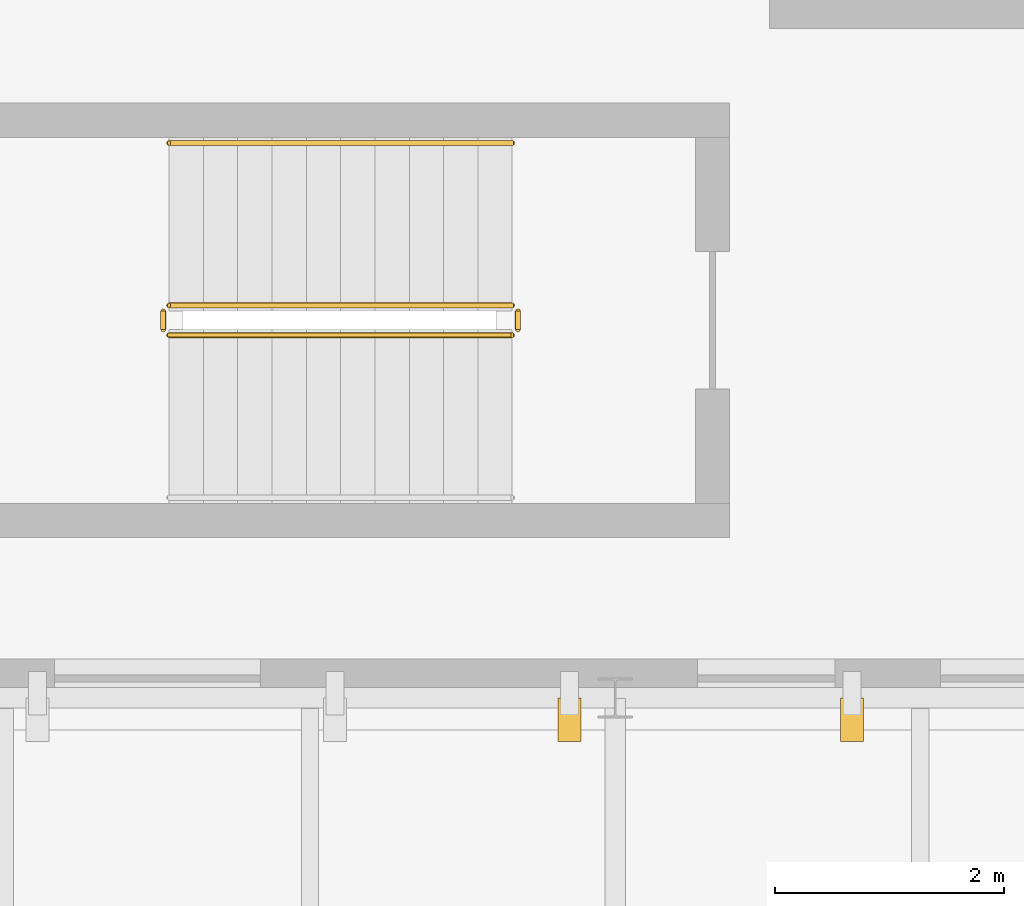
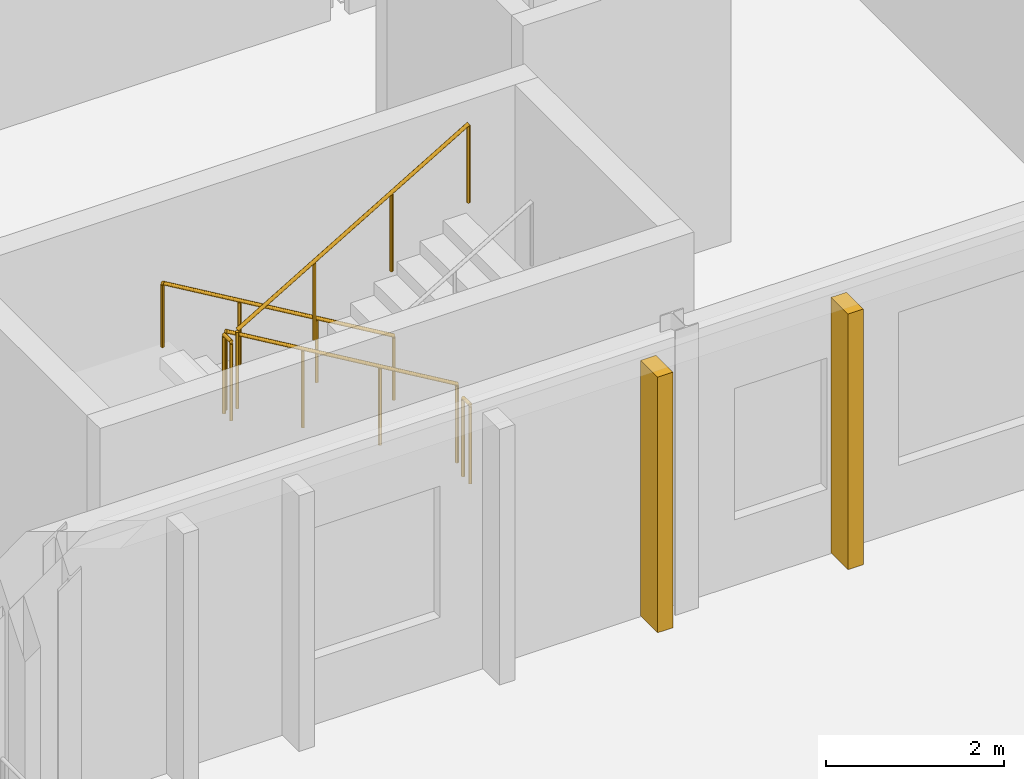
# One storey, part 38 of 43: 5 railings, 2 coverings.
"""IFC4 building model written with IfcOpenShell, lengths in metres."""

import ifcopenshell
import ifcopenshell.guid

model = None  # the IFC model being written
_history = None  # IfcOwnerHistory: only IFC2X3 demands one
_inside = {}  # id of a spatial element -> (the spatial element, [elements in it])
_under = {}  # id of a project, library or spatial element -> (it, [spatial elements below it])
_declared = {}  # id of a project -> (the project, [libraries it declares])
_typed = {}  # id of a type object -> (the type object, [elements of that type])
_made_of = {}  # id of a material, layer set ... -> (it, [elements and type objects made of it])


def new_model(schema):
    """Start an empty IFC model of exactly this schema.

    Asked for "IFC4X3", IfcOpenShell would pick the latest addendum, in which some entities
    have other attributes; the version numbers below select the first issue.
    IFC2X3 requires an IfcOwnerHistory on every rooted entity: one is made here for all.
    """
    global model, _history
    if schema == "IFC4X3":
        model = ifcopenshell.file(schema_version=(4, 3, 0, 0))
    else:
        model = ifcopenshell.file(schema=schema)
    _inside.clear()
    _under.clear()
    _declared.clear()
    _typed.clear()
    _made_of.clear()
    _history = None
    if model.schema == "IFC2X3":
        org = make("IfcOrganization", Name="unknown")
        user = make(
            "IfcPersonAndOrganization",
            ThePerson=make("IfcPerson", FamilyName="unknown"),
            TheOrganization=org,
        )
        app = make(
            "IfcApplication",
            ApplicationDeveloper=org,
            Version="unknown",
            ApplicationFullName="unknown",
            ApplicationIdentifier="unknown",
        )
        _history = make(
            "IfcOwnerHistory",
            OwningUser=user,
            OwningApplication=app,
            ChangeAction="ADDED",
            CreationDate=0,
        )
    return model


def make(cls, **values):
    """One entity of the class cls with the attributes given. An attribute that is None is left unset."""
    return model.create_entity(
        cls, **{name: value for name, value in values.items() if value is not None}
    )


def rooted(cls, **values):
    """An entity with a GlobalId (a new one), such as an element, a storey or a relation."""
    return make(cls, GlobalId=ifcopenshell.guid.new(), OwnerHistory=_history, **values)


def si_unit(unit_type, name, prefix=None):
    """IfcSIUnit, for example si_unit("LENGTHUNIT", "METRE", prefix="MILLI")."""
    return make("IfcSIUnit", UnitType=unit_type, Prefix=prefix, Name=name)


def assignment(units):
    """IfcUnitAssignment: the units of a project."""
    return None if units is None else make("IfcUnitAssignment", Units=units)


def point(xyz):
    """IfcCartesianPoint."""
    return None if xyz is None else make("IfcCartesianPoint", Coordinates=xyz)


def direction(xyz):
    """IfcDirection."""
    return None if xyz is None else make("IfcDirection", DirectionRatios=xyz)


def frame(location, z_axis=None, x_axis=None):
    """IfcAxis2Placement3D, a coordinate frame: its origin and axes. An axis left out is left unset."""
    return make(
        "IfcAxis2Placement3D",
        Location=point(location),
        Axis=direction(z_axis),
        RefDirection=direction(x_axis),
    )


def frame_2d(location, x_axis=None):
    """IfcAxis2Placement2D, a coordinate frame in the plane: its origin and x axis."""
    return make(
        "IfcAxis2Placement2D", Location=point(location), RefDirection=direction(x_axis)
    )


def origin():
    """The frame at (0, 0, 0) with its axes left unset."""
    return frame((0.0, 0.0, 0.0))


def origin_2d():
    """The frame at (0, 0) in the plane with its x axis left unset."""
    return frame_2d((0.0, 0.0))


def place(relative_to, where):
    """IfcLocalPlacement: puts the frame where relative to a parent placement (None: the world)."""
    return make(
        "IfcLocalPlacement", PlacementRelTo=relative_to, RelativePlacement=where
    )


def context(
    kind, dimensions, precision=None, world=None, true_north=None, identifier=None
):
    """IfcGeometricRepresentationContext, for example the 3D "Model" context."""
    return make(
        "IfcGeometricRepresentationContext",
        ContextIdentifier=identifier,
        ContextType=kind,
        CoordinateSpaceDimension=dimensions,
        Precision=precision,
        WorldCoordinateSystem=world,
        TrueNorth=true_north,
    )


def subcontext(parent, identifier, kind, view, scale=None):
    """IfcGeometricRepresentationSubContext, for example "Body" below "Model"."""
    return make(
        "IfcGeometricRepresentationSubContext",
        ContextIdentifier=identifier,
        ContextType=kind,
        ParentContext=parent,
        TargetScale=scale,
        TargetView=view,
    )


def project(units=None, contexts=None):
    """IfcProject with its units and contexts."""
    return rooted(
        "IfcProject",
        Name="project",
        RepresentationContexts=contexts,
        UnitsInContext=assignment(units),
    )


def spatial(cls, under=None, at=None, **own):
    """A site, building, storey or space (cls), placed at a placement, below another one or the project."""
    s = rooted(cls, ObjectPlacement=at, **own)
    if under is not None:
        _under.setdefault(under.id(), (under, []))[1].append(s)
    return s


def profile(cls, at=None, kind="AREA", **sizes):
    """A parametric profile (cls). Its sizes go by their IFC names, for example OverallWidth=200.0."""
    return make(cls, ProfileType=kind, Position=at, **sizes)


def rectangle(**sizes):
    """IfcRectangleProfileDef."""
    return profile("IfcRectangleProfileDef", **sizes)


def circle(**sizes):
    """IfcCircleProfileDef."""
    return profile("IfcCircleProfileDef", **sizes)


def extrude(swept, where, along, depth):
    """IfcExtrudedAreaSolid: the profile swept, set in the frame where, extruded along a direction by depth."""
    return make(
        "IfcExtrudedAreaSolid",
        SweptArea=swept,
        Position=where,
        ExtrudedDirection=direction(along),
        Depth=depth,
    )


def shape(context_of_items, identifier, shape_type, items):
    """IfcShapeRepresentation: the items that make up one representation, for example the "Body"."""
    return make(
        "IfcShapeRepresentation",
        ContextOfItems=context_of_items,
        RepresentationIdentifier=identifier,
        RepresentationType=shape_type,
        Items=items,
    )


def material(Name=None, Category=None):
    """IfcMaterial."""
    return make("IfcMaterial", Name=Name, Category=Category)


def layer(
    of_material, thickness, ventilated=None, Name=None, Category=None, Priority=None
):
    """IfcMaterialLayer: one layer of a wall or slab, of a material (None: an air gap)."""
    return make(
        "IfcMaterialLayer",
        Material=of_material,
        LayerThickness=thickness,
        IsVentilated=ventilated,
        Name=Name,
        Category=Category,
        Priority=Priority,
    )


def layer_set(layers, Name=None):
    """IfcMaterialLayerSet."""
    return make("IfcMaterialLayerSet", MaterialLayers=layers, LayerSetName=Name)


def made_of(thing, what):
    """Note that an element or type object is made of a material, layer set ...; save() writes the relation."""
    if what is not None:
        _made_of.setdefault(what.id(), (what, []))[1].append(thing)
    return thing


def type_object(cls, material=None, **own):
    """A type object (cls), such as IfcWallType, which elements share."""
    return made_of(rooted(cls, **own), material)


def element(
    cls,
    number,
    at=None,
    inside=None,
    cuts=None,
    type_object=None,
    material=None,
    context=None,
    identifier="Body",
    shape_type=None,
    held_by="IfcProductDefinitionShape",
    body=None,
    shapes=None,
    **own,
):
    """One element of the class cls, such as IfcWall. Its Tag is "e" and its number.

    at: its placement. inside: the storey or other place that contains it. cuts: it is an
    opening in that element (IfcRelVoidsElement). A single representation is given by context,
    identifier, shape_type and body (its items); several are given by shapes. held_by: the class
    of the entity that holds the representations. save() writes the other relations.
    """
    e = rooted(cls, Tag="e%d" % number, ObjectPlacement=at, **own)
    if body is not None:
        shapes = [shape(context, identifier, shape_type, body)]
    if shapes is not None:
        e.Representation = make(held_by, Representations=shapes)
    if inside is not None:
        _inside.setdefault(inside.id(), (inside, []))[1].append(e)
    if cuts is not None:
        rooted(
            "IfcRelVoidsElement", RelatingBuildingElement=cuts, RelatedOpeningElement=e
        )
    if type_object is not None:
        _typed.setdefault(type_object.id(), (type_object, []))[1].append(e)
    return made_of(e, material)


def aggregate(whole, parts):
    """IfcRelAggregates: a whole, such as a stair, and the parts it consists of."""
    return rooted("IfcRelAggregates", RelatingObject=whole, RelatedObjects=parts)


def save(model, path):
    """Write the relations noted so far, then the file.

    IfcRelAggregates (storeys below a building ...), IfcRelContainedInSpatialStructure (elements
    in a storey), IfcRelDefinesByType, IfcRelAssociatesMaterial and IfcRelDeclares: one each for
    every whole, place, type object, material and project.
    """
    for whole, parts in _under.values():
        aggregate(whole, parts)
    for where, things in _inside.values():
        rooted(
            "IfcRelContainedInSpatialStructure",
            RelatedElements=things,
            RelatingStructure=where,
        )
    for kind, things in _typed.values():
        rooted("IfcRelDefinesByType", RelatedObjects=things, RelatingType=kind)
    for what, things in _made_of.values():
        rooted("IfcRelAssociatesMaterial", RelatedObjects=things, RelatingMaterial=what)
    for by, libraries in _declared.values():
        rooted("IfcRelDeclares", RelatingContext=by, RelatedDefinitions=libraries)
    model.write(path)


model = new_model("IFC4")

# Units and contexts
model_context = context("Model", 3, precision=1e-05, world=origin(), true_north=direction((0.0, 1.0)))
body_context = subcontext(model_context, "Body", "Model", "MODEL_VIEW")
ifc_project = project(units=[si_unit("LENGTHUNIT", "METRE"), si_unit("AREAUNIT", "SQUARE_METRE"), si_unit("VOLUMEUNIT", "CUBIC_METRE"), si_unit("PLANEANGLEUNIT", "RADIAN"), si_unit("MASSUNIT", "GRAM", prefix="KILO")], contexts=[model_context])

# Site, building, storey
site_placement = place(None, origin())
site = spatial("IfcSite", under=ifc_project, at=site_placement, CompositionType="ELEMENT")
building_placement = place(site_placement, origin())
building = spatial("IfcBuilding", under=site, at=building_placement, Name="Cymarion Research Institute", CompositionType="ELEMENT")
storey_placement = place(building_placement, frame((0.0, 0.0, 22.800048828125)))
storey = spatial("IfcBuildingStorey", under=building, at=storey_placement, Name="L05", CompositionType="ELEMENT", Elevation=22.800048828125)

# Railings
ifc_material_1 = material(Name="Steel S355", Category="steel")
railing_type_1 = type_object("IfcRailingType", Name="PAINTED STEEL STAIR GUARDRAIL GR1 1100MM", PredefinedType="GUARDRAIL", material=ifc_material_1)
railing_1_placement = place(storey_placement, frame((13.699951171875, 96.929931640625, 0.17724609375)))
element("IfcRailing", 1, at=railing_1_placement, inside=storey, type_object=railing_type_1, Name="L05 ST9 stair guard 1", PredefinedType="GUARDRAIL", context=body_context, shape_type="SweptSolid", body=[
    extrude(circle(Radius=0.02392578125, at=origin_2d()), frame((0.0, 0.0, 1.076171875), z_axis=(-0.86092931783, 0.0, 0.508724591208), x_axis=(0.0, -1.0, 0.0)), (0.0, 0.0, 1.0), 3.484619140625),
    extrude(circle(Radius=0.02099609375, at=origin_2d()), origin(), (0.0, 0.0, 1.0), 1.052001953125),
    extrude(circle(Radius=0.02099609375, at=origin_2d()), frame((-1.0, 0.0, 0.5908203125)), (0.0, 0.0, 1.0), 1.052001953125),
    extrude(circle(Radius=0.02099609375, at=origin_2d()), frame((-2.0, 0.0, 1.181884765625)), (0.0, 0.0, 1.0), 1.052001953125),
    extrude(circle(Radius=0.02099609375, at=origin_2d()), frame((-3.0, 0.0, 1.772705078125)), (0.0, 0.0, 1.0), 1.052001953125),
])
railing_2_placement = place(storey_placement, frame((10.64990234375, 96.8798828125, 1.949951171875)))
element("IfcRailing", 2, at=railing_2_placement, inside=storey, type_object=railing_type_1, Name="L05 ST9 stair guard 2", PredefinedType="GUARDRAIL", context=body_context, shape_type="SweptSolid", body=[
    extrude(circle(Radius=0.02392578125, at=origin_2d()), frame((0.0, 0.0, 1.076171875), z_axis=(0.0, -1.0, 0.0), x_axis=(1.0, 0.0, 0.0)), (0.0, 0.0, 1.0), 0.159912109375),
    extrude(circle(Radius=0.02099609375, at=origin_2d()), origin(), (0.0, 0.0, 1.0), 1.052001953125),
    extrude(circle(Radius=0.02099609375, at=origin_2d()), frame((0.0, -0.159912109375, 0.0)), (0.0, 0.0, 1.0), 1.052001953125),
])
railing_3_placement = place(storey_placement, frame((10.699951171875, 96.669921875, 2.127197265625)))
element("IfcRailing", 3, at=railing_3_placement, inside=storey, type_object=railing_type_1, Name="L05 ST9 stair guard 3", PredefinedType="GUARDRAIL", context=body_context, shape_type="SweptSolid", body=[
    extrude(circle(Radius=0.02392578125, at=origin_2d()), frame((0.0, 0.0, 1.076171875), z_axis=(0.86092931783, 0.0, 0.508724591208), x_axis=(0.0, 1.0, 0.0)), (0.0, 0.0, 1.0), 3.484619140625),
    extrude(circle(Radius=0.02099609375, at=origin_2d()), origin(), (0.0, 0.0, 1.0), 1.052001953125),
    extrude(circle(Radius=0.02099609375, at=origin_2d()), frame((1.0, 0.0, 0.5908203125)), (0.0, 0.0, 1.0), 1.052001953125),
    extrude(circle(Radius=0.02099609375, at=origin_2d()), frame((2.0, 0.0, 1.181884765625)), (0.0, 0.0, 1.0), 1.052001953125),
    extrude(circle(Radius=0.02099609375, at=origin_2d()), frame((3.0, 0.0, 1.772705078125)), (0.0, 0.0, 1.0), 1.052001953125),
])
railing_4_placement = place(storey_placement, frame((13.75, 96.8798828125, 0.0)))
element("IfcRailing", 4, at=railing_4_placement, inside=storey, type_object=railing_type_1, Name="L05 ST9 stair guard 4", PredefinedType="GUARDRAIL", context=body_context, shape_type="SweptSolid", body=[
    extrude(circle(Radius=0.02392578125, at=origin_2d()), frame((0.0, 0.0, 1.076171875), z_axis=(0.0, -1.0, 0.0), x_axis=(1.0, 0.0, 0.0)), (0.0, 0.0, 1.0), 0.159912109375),
    extrude(circle(Radius=0.02099609375, at=origin_2d()), origin(), (0.0, 0.0, 1.0), 1.052001953125),
    extrude(circle(Radius=0.02099609375, at=origin_2d()), frame((0.0, -0.159912109375, 0.0)), (0.0, 0.0, 1.0), 1.052001953125),
])

# Coverings
ifc_material_2 = material(Name="Precast concrete C45/55 architectural white", Category="concrete")
ifc_layer = layer(ifc_material_2, 0.199951171875)
ifc_layer_set = layer_set([ifc_layer], Name="Precast concrete C45/55 architectural white")
covering_type = type_object("IfcCoveringType", Name="SCULPTURAL WHITE PRECAST CONCRETE VERTICAL RIB RIB1 380X200", PredefinedType="CLADDING", material=ifc_layer_set)
for number, where, z_axis, x_axis, name in (
    (5, (14.199951171875, 93.30810546875, 0.010009765625), (0.0, 0.0, 1.0), (0.0, -1.0, 0.0), "L05 V5 sculptural precast vertical rib RIB1 #1041"),
    (6, (16.669921875, 93.30810546875, 0.010009765625), (0.0, 0.0, 1.0), (0.0, -1.0, 0.0), "L05 V5 sculptural precast vertical rib RIB1 #1042"),
):
    element("IfcCovering", number, at=place(storey_placement, frame(where, z_axis=z_axis, x_axis=x_axis)), inside=storey, type_object=covering_type, Name=name, PredefinedType="CLADDING", context=body_context, shape_type="SweptSolid", body=[
        extrude(rectangle(XDim=0.3798828125, YDim=0.199951171875, at=origin_2d()), origin(), (0.0, 0.0, 1.0), 3.5048828125),
    ])

# Railing
railing_type_2 = type_object("IfcRailingType", Name="STAINLESS STEEL STAIR HANDRAIL HR1 900MM", PredefinedType="HANDRAIL", material=ifc_material_1)
railing_5_placement = place(storey_placement, frame((13.699951171875, 98.35009765625, 0.17724609375)))
element("IfcRailing", 7, at=railing_5_placement, inside=storey, type_object=railing_type_2, Name="L05 ST9 stair handrail 1", PredefinedType="HANDRAIL", context=body_context, shape_type="SweptSolid", body=[
    extrude(circle(Radius=0.02392578125, at=origin_2d()), frame((0.0, 0.0, 0.8759765625), z_axis=(-0.86092931783, 0.0, 0.508724591208), x_axis=(0.0, -1.0, 0.0)), (0.0, 0.0, 1.0), 3.484619140625),
    extrude(circle(Radius=0.02099609375, at=origin_2d()), origin(), (0.0, 0.0, 1.0), 0.851806640625),
    extrude(circle(Radius=0.02099609375, at=origin_2d()), frame((-1.0, 0.0, 0.5908203125)), (0.0, 0.0, 1.0), 0.851806640625),
    extrude(circle(Radius=0.02099609375, at=origin_2d()), frame((-2.0, 0.0, 1.181884765625)), (0.0, 0.0, 1.0), 0.851806640625),
    extrude(circle(Radius=0.02099609375, at=origin_2d()), frame((-3.0, 0.0, 1.772705078125)), (0.0, 0.0, 1.0), 0.851806640625),
])

save(model, "model.ifc")
